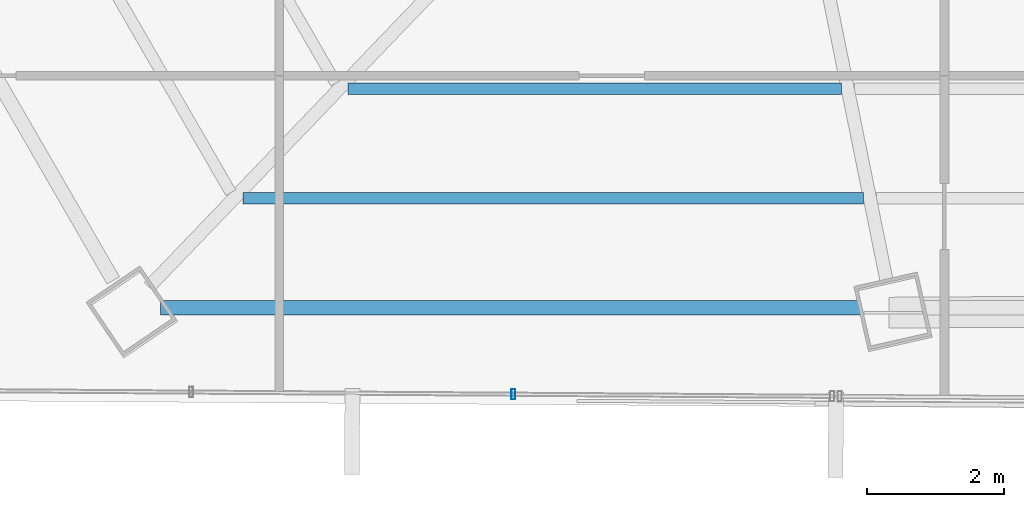
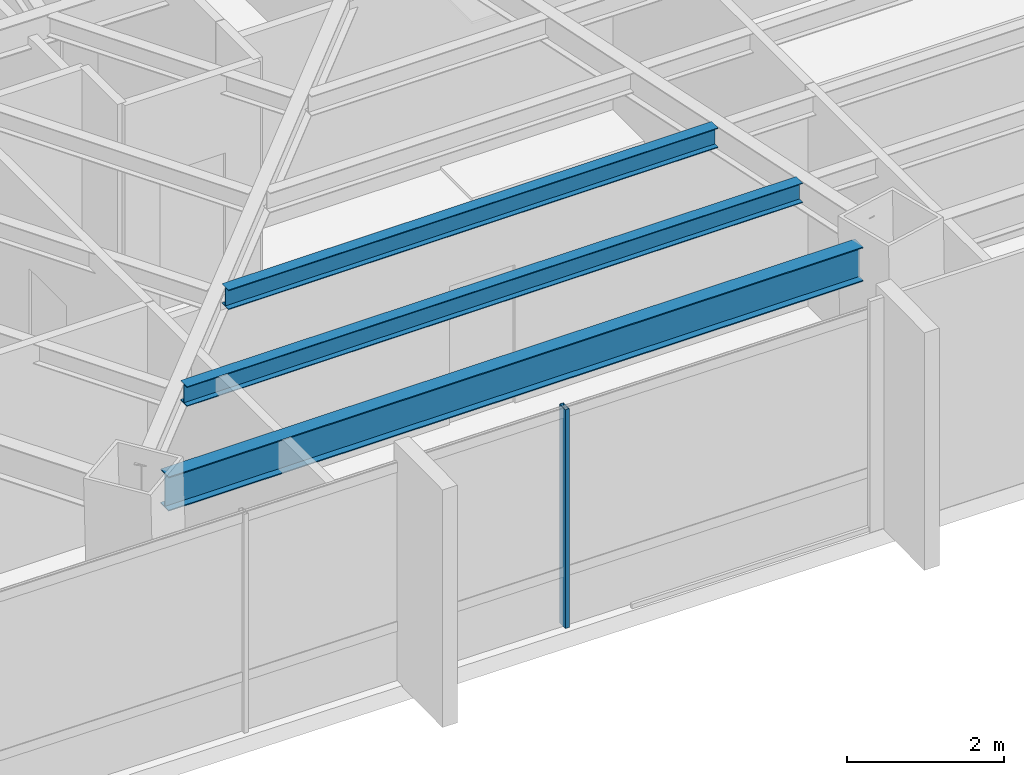
# One storey, part 4 of 40: 3 beams, 1 member, 1 element without a shape of its own.
"""IFC4 building model written with IfcOpenShell, lengths in metres."""

from ifc_helpers import new_model, si_unit, direction, frame, origin, origin_2d, place, context, subcontext, project, spatial, hollow_rectangle, i_section, extrude, source, transform, mapped, material, material_profile, profile_set, type_object, type_shapes, element, aggregate, save


model = new_model("IFC4")

# Units and contexts
model_context = context("Model", 3, precision=1e-05, world=origin(), true_north=direction((0.0, 1.0)))
body_context = subcontext(model_context, "Body", "Model", "MODEL_VIEW")
ifc_project = project(units=[si_unit("LENGTHUNIT", "METRE"), si_unit("AREAUNIT", "SQUARE_METRE"), si_unit("VOLUMEUNIT", "CUBIC_METRE"), si_unit("PLANEANGLEUNIT", "RADIAN"), si_unit("MASSUNIT", "GRAM", prefix="KILO")], contexts=[model_context])

# Site, building, storey
site_placement = place(None, origin())
site = spatial("IfcSite", under=ifc_project, at=site_placement, CompositionType="ELEMENT")
building_placement = place(site_placement, origin())
building = spatial("IfcBuilding", under=site, at=building_placement, Name="Caelisora Broadcast Tower", CompositionType="ELEMENT")
storey_placement = place(building_placement, frame((0.0, 0.0, 176.75)))
storey = spatial("IfcBuildingStorey", under=building, at=storey_placement, Name="L46", CompositionType="ELEMENT", Elevation=176.75)

# Beams
ifc_material_1 = material(Name="Steel Grade 350 (AS/NZS 3679.1)", Category="steel")
ifc_material_profile_1 = material_profile(ifc_material_1, i_section(OverallWidth=0.208984375, OverallDepth=0.532958984375, WebThickness=0.01025390625, FlangeThickness=0.015625, at=origin_2d()), Name="Steel Grade 350 (AS/NZS 3679.1)")
ifc_profile_set_1 = profile_set([ifc_material_profile_1], Name="Steel Grade 350 (AS/NZS 3679.1)")
beam_type_1 = type_object("IfcBeamType", Name="PG05", PredefinedType="BEAM", material=ifc_profile_set_1)
shared_shape_1 = source(origin(), body_context, "Body", "SweptSolid", [
    extrude(i_section(OverallWidth=0.208984375, OverallDepth=0.532958984375, WebThickness=0.01025390625, FlangeThickness=0.015625, at=origin_2d()), origin(), (0.0, 0.0, 1.0), 10.206787109375),
])
type_shapes(beam_type_1, [shared_shape_1])
beam_1_placement = place(storey_placement, frame((21.769775390625, 7.82666015625, 3.133544921875), z_axis=(1.0, 0.0, 0.0), x_axis=(0.0, 1.0, 0.0)))
element("IfcBeam", 1, at=beam_1_placement, inside=storey, type_object=beam_type_1, Name="L46 beam PG05", PredefinedType="BEAM", context=body_context, shape_type="MappedRepresentation", body=[
    mapped(shared_shape_1, transform((0.0, 0.0, 0.0), scale=1.0)),
])
ifc_material_profile_2 = material_profile(ifc_material_1, i_section(OverallWidth=0.166015625, OverallDepth=0.30712890625, WebThickness=0.006591796875, FlangeThickness=0.01171875, at=origin_2d()), Name="Steel Grade 350 (AS/NZS 3679.1)")
ifc_profile_set_2 = profile_set([ifc_material_profile_2], Name="Steel Grade 350 (AS/NZS 3679.1)")
beam_type_2 = type_object("IfcBeamType", Name="SB03", PredefinedType="JOIST", material=ifc_profile_set_2)
shared_shape_2 = source(origin(), body_context, "Body", "SweptSolid", [
    extrude(i_section(OverallWidth=0.166015625, OverallDepth=0.30712890625, WebThickness=0.006591796875, FlangeThickness=0.01171875, at=origin_2d()), origin(), (0.0, 0.0, 1.0), 7.1943359375),
])
beam_2_placement = place(storey_placement, frame((24.50244140625, 11.017578125, 3.246337890625), z_axis=(1.0, 0.0, 0.0), x_axis=(0.0, 1.0, 0.0)))
element("IfcBeam", 2, at=beam_2_placement, inside=storey, type_object=beam_type_2, Name="L46 beam SB03", PredefinedType="JOIST", context=body_context, shape_type="MappedRepresentation", body=[
    mapped(shared_shape_2, transform((0.0, 0.0, 0.0), scale=1.0)),
])
shared_shape_3 = source(origin(), body_context, "Body", "SweptSolid", [
    extrude(i_section(OverallWidth=0.166015625, OverallDepth=0.30712890625, WebThickness=0.006591796875, FlangeThickness=0.01171875, at=origin_2d()), origin(), (0.0, 0.0, 1.0), 9.048583984375),
])
type_shapes(beam_type_2, [shared_shape_2, shared_shape_3])
beam_3_placement = place(storey_placement, frame((22.970703125, 9.422119140625, 3.246337890625), z_axis=(1.0, 0.0, 0.0), x_axis=(0.0, 1.0, 0.0)))
element("IfcBeam", 3, at=beam_3_placement, inside=storey, type_object=beam_type_2, Name="L46 beam SB03", PredefinedType="JOIST", context=body_context, shape_type="MappedRepresentation", body=[
    mapped(shared_shape_3, transform((0.0, 0.0, 0.0), scale=1.0)),
])

# Curtain wall, member
ifc_material_2 = material(Name="Unitised Aluminium and Low-E Glass Curtain Wall", Category="glass")
curtain_wall_type = type_object("IfcCurtainWallType", Name="CW-Z3", PredefinedType="NOTDEFINED", material=ifc_material_2)
curtain_wall_placement = place(storey_placement, origin())
curtain_wall = element("IfcCurtainWall", 4, at=curtain_wall_placement, inside=storey, type_object=curtain_wall_type, Name="L46 curtain wall CW-Z3", PredefinedType="NOTDEFINED")
ifc_material_3 = material(Name="Aluminium 6063-T6 Anodised Terracotta Bronze", Category="aluminium")
ifc_material_profile_3 = material_profile(ifc_material_3, hollow_rectangle(XDim=0.06005859375, YDim=0.14990234375, WallThickness=0.00341796875, at=origin_2d()), Name="Aluminium 6063-T6 Anodised Terracotta Bronze")
ifc_profile_set_3 = profile_set([ifc_material_profile_3], Name="Aluminium 6063-T6 Anodised Terracotta Bronze")
member_type = type_object("IfcMemberType", Name="CWM-03", PredefinedType="MULLION", material=ifc_profile_set_3)
shared_shape_4 = source(origin(), body_context, "Body", "SweptSolid", [
    extrude(hollow_rectangle(XDim=0.06005859375, YDim=0.14990234375, WallThickness=0.00341796875, at=origin_2d()), origin(), (0.0, 0.0, 1.0), 3.39990234375),
])
type_shapes(member_type, [shared_shape_4])
member_placement = place(storey_placement, frame((26.914794921875, 6.565673828125, 0.0), z_axis=(0.0, 0.0, 1.0), x_axis=(1.0, 0.0, 0.0)))
member = element("IfcMember", 5, at=member_placement, type_object=member_type, Name="L46-CW-B07 mullion #1", PredefinedType="MULLION", context=body_context, shape_type="MappedRepresentation", body=[
    mapped(shared_shape_4, transform((0.0, 0.0, 0.0), scale=1.0)),
])
aggregate(curtain_wall, [member])

save(model, "model.ifc")
